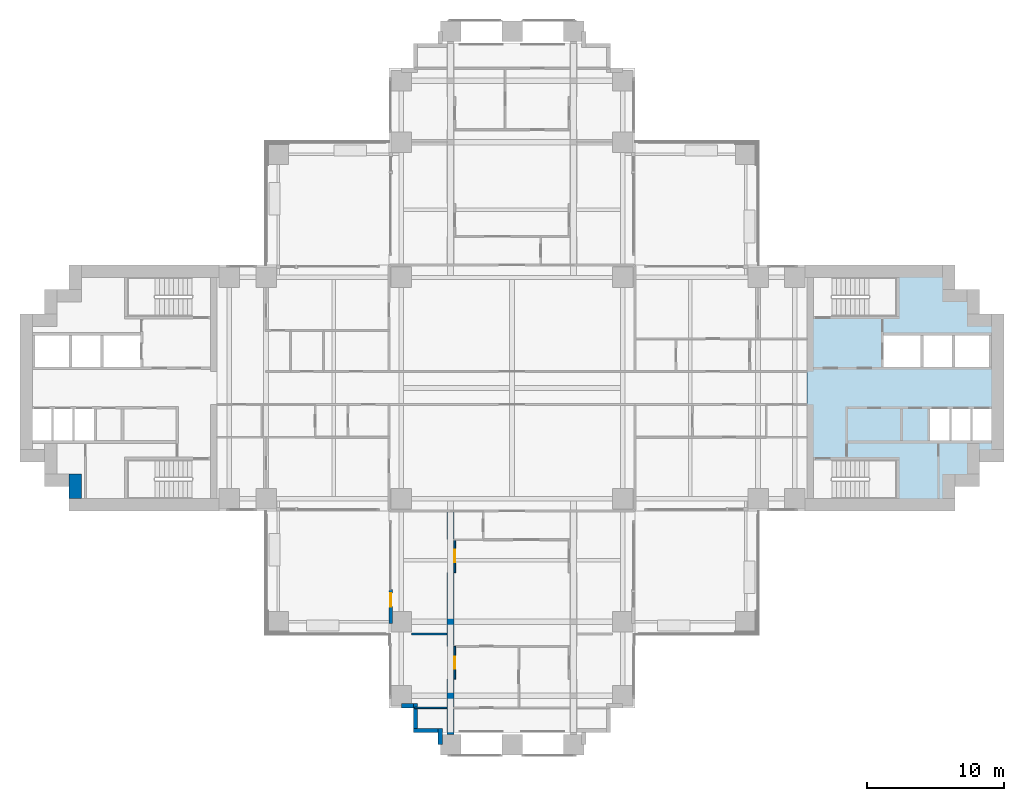
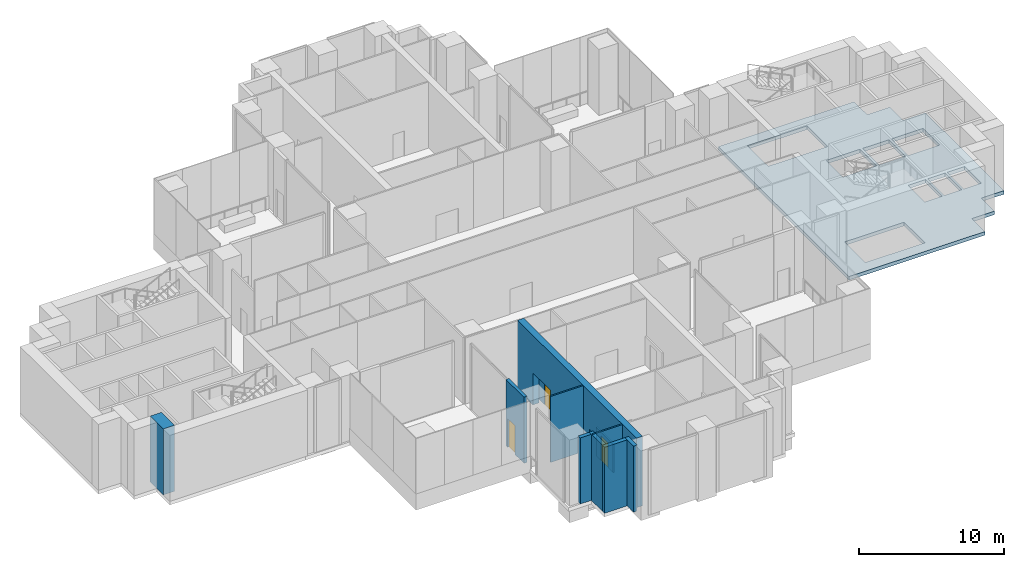
# One storey, part 7 of 17: 11 walls, 3 doors, 1 slab, 3 openings.
"""IFC4 building model written with IfcOpenShell, lengths in metres."""

import ifcopenshell
import ifcopenshell.guid

model = None  # the IFC model being written
_history = None  # IfcOwnerHistory: only IFC2X3 demands one
_inside = {}  # id of a spatial element -> (the spatial element, [elements in it])
_under = {}  # id of a project, library or spatial element -> (it, [spatial elements below it])
_declared = {}  # id of a project -> (the project, [libraries it declares])
_typed = {}  # id of a type object -> (the type object, [elements of that type])
_made_of = {}  # id of a material, layer set ... -> (it, [elements and type objects made of it])


def new_model(schema):
    """Start an empty IFC model of exactly this schema.

    Asked for "IFC4X3", IfcOpenShell would pick the latest addendum, in which some entities
    have other attributes; the version numbers below select the first issue.
    IFC2X3 requires an IfcOwnerHistory on every rooted entity: one is made here for all.
    """
    global model, _history
    if schema == "IFC4X3":
        model = ifcopenshell.file(schema_version=(4, 3, 0, 0))
    else:
        model = ifcopenshell.file(schema=schema)
    _inside.clear()
    _under.clear()
    _declared.clear()
    _typed.clear()
    _made_of.clear()
    _history = None
    if model.schema == "IFC2X3":
        org = make("IfcOrganization", Name="unknown")
        user = make(
            "IfcPersonAndOrganization",
            ThePerson=make("IfcPerson", FamilyName="unknown"),
            TheOrganization=org,
        )
        app = make(
            "IfcApplication",
            ApplicationDeveloper=org,
            Version="unknown",
            ApplicationFullName="unknown",
            ApplicationIdentifier="unknown",
        )
        _history = make(
            "IfcOwnerHistory",
            OwningUser=user,
            OwningApplication=app,
            ChangeAction="ADDED",
            CreationDate=0,
        )
    return model


def make(cls, **values):
    """One entity of the class cls with the attributes given. An attribute that is None is left unset."""
    return model.create_entity(
        cls, **{name: value for name, value in values.items() if value is not None}
    )


def rooted(cls, **values):
    """An entity with a GlobalId (a new one), such as an element, a storey or a relation."""
    return make(cls, GlobalId=ifcopenshell.guid.new(), OwnerHistory=_history, **values)


def si_unit(unit_type, name, prefix=None):
    """IfcSIUnit, for example si_unit("LENGTHUNIT", "METRE", prefix="MILLI")."""
    return make("IfcSIUnit", UnitType=unit_type, Prefix=prefix, Name=name)


def assignment(units):
    """IfcUnitAssignment: the units of a project."""
    return None if units is None else make("IfcUnitAssignment", Units=units)


def point(xyz):
    """IfcCartesianPoint."""
    return None if xyz is None else make("IfcCartesianPoint", Coordinates=xyz)


def direction(xyz):
    """IfcDirection."""
    return None if xyz is None else make("IfcDirection", DirectionRatios=xyz)


def frame(location, z_axis=None, x_axis=None):
    """IfcAxis2Placement3D, a coordinate frame: its origin and axes. An axis left out is left unset."""
    return make(
        "IfcAxis2Placement3D",
        Location=point(location),
        Axis=direction(z_axis),
        RefDirection=direction(x_axis),
    )


def frame_2d(location, x_axis=None):
    """IfcAxis2Placement2D, a coordinate frame in the plane: its origin and x axis."""
    return make(
        "IfcAxis2Placement2D", Location=point(location), RefDirection=direction(x_axis)
    )


def origin():
    """The frame at (0, 0, 0) with its axes left unset."""
    return frame((0.0, 0.0, 0.0))


def place(relative_to, where):
    """IfcLocalPlacement: puts the frame where relative to a parent placement (None: the world)."""
    return make(
        "IfcLocalPlacement", PlacementRelTo=relative_to, RelativePlacement=where
    )


def context(
    kind, dimensions, precision=None, world=None, true_north=None, identifier=None
):
    """IfcGeometricRepresentationContext, for example the 3D "Model" context."""
    return make(
        "IfcGeometricRepresentationContext",
        ContextIdentifier=identifier,
        ContextType=kind,
        CoordinateSpaceDimension=dimensions,
        Precision=precision,
        WorldCoordinateSystem=world,
        TrueNorth=true_north,
    )


def subcontext(parent, identifier, kind, view, scale=None):
    """IfcGeometricRepresentationSubContext, for example "Body" below "Model"."""
    return make(
        "IfcGeometricRepresentationSubContext",
        ContextIdentifier=identifier,
        ContextType=kind,
        ParentContext=parent,
        TargetScale=scale,
        TargetView=view,
    )


def project(units=None, contexts=None):
    """IfcProject with its units and contexts."""
    return rooted(
        "IfcProject",
        Name="project",
        RepresentationContexts=contexts,
        UnitsInContext=assignment(units),
    )


def spatial(cls, under=None, at=None, **own):
    """A site, building, storey or space (cls), placed at a placement, below another one or the project."""
    s = rooted(cls, ObjectPlacement=at, **own)
    if under is not None:
        _under.setdefault(under.id(), (under, []))[1].append(s)
    return s


def polyline(points):
    """IfcPolyline through the points."""
    return make("IfcPolyline", Points=[point(p) for p in points])


def profile(cls, at=None, kind="AREA", **sizes):
    """A parametric profile (cls). Its sizes go by their IFC names, for example OverallWidth=200.0."""
    return make(cls, ProfileType=kind, Position=at, **sizes)


def rectangle(**sizes):
    """IfcRectangleProfileDef."""
    return profile("IfcRectangleProfileDef", **sizes)


def outline(outer, holes=None, kind="AREA"):
    """IfcArbitraryClosedProfileDef: a profile drawn as a closed curve; with holes, ...WithVoids."""
    if holes is None:
        return make("IfcArbitraryClosedProfileDef", ProfileType=kind, OuterCurve=outer)
    return make(
        "IfcArbitraryProfileDefWithVoids",
        ProfileType=kind,
        OuterCurve=outer,
        InnerCurves=holes,
    )


def extrude(swept, where, along, depth):
    """IfcExtrudedAreaSolid: the profile swept, set in the frame where, extruded along a direction by depth."""
    return make(
        "IfcExtrudedAreaSolid",
        SweptArea=swept,
        Position=where,
        ExtrudedDirection=direction(along),
        Depth=depth,
    )


def shape(context_of_items, identifier, shape_type, items):
    """IfcShapeRepresentation: the items that make up one representation, for example the "Body"."""
    return make(
        "IfcShapeRepresentation",
        ContextOfItems=context_of_items,
        RepresentationIdentifier=identifier,
        RepresentationType=shape_type,
        Items=items,
    )


def material(Name=None, Category=None):
    """IfcMaterial."""
    return make("IfcMaterial", Name=Name, Category=Category)


def layer(
    of_material, thickness, ventilated=None, Name=None, Category=None, Priority=None
):
    """IfcMaterialLayer: one layer of a wall or slab, of a material (None: an air gap)."""
    return make(
        "IfcMaterialLayer",
        Material=of_material,
        LayerThickness=thickness,
        IsVentilated=ventilated,
        Name=Name,
        Category=Category,
        Priority=Priority,
    )


def layer_set(layers, Name=None):
    """IfcMaterialLayerSet."""
    return make("IfcMaterialLayerSet", MaterialLayers=layers, LayerSetName=Name)


def material_profile(
    of_material, cross_section, Name=None, Category=None, Priority=None
):
    """IfcMaterialProfile: a cross section and its material."""
    return make(
        "IfcMaterialProfile",
        Name=Name,
        Material=of_material,
        Profile=cross_section,
        Priority=Priority,
        Category=Category,
    )


def profile_set(profiles, Name=None, composite=None):
    """IfcMaterialProfileSet."""
    return make(
        "IfcMaterialProfileSet",
        Name=Name,
        MaterialProfiles=profiles,
        CompositeProfile=composite,
    )


def made_of(thing, what):
    """Note that an element or type object is made of a material, layer set ...; save() writes the relation."""
    if what is not None:
        _made_of.setdefault(what.id(), (what, []))[1].append(thing)
    return thing


def type_object(cls, material=None, **own):
    """A type object (cls), such as IfcWallType, which elements share."""
    return made_of(rooted(cls, **own), material)


def element(
    cls,
    number,
    at=None,
    inside=None,
    cuts=None,
    type_object=None,
    material=None,
    context=None,
    identifier="Body",
    shape_type=None,
    held_by="IfcProductDefinitionShape",
    body=None,
    shapes=None,
    **own,
):
    """One element of the class cls, such as IfcWall. Its Tag is "e" and its number.

    at: its placement. inside: the storey or other place that contains it. cuts: it is an
    opening in that element (IfcRelVoidsElement). A single representation is given by context,
    identifier, shape_type and body (its items); several are given by shapes. held_by: the class
    of the entity that holds the representations. save() writes the other relations.
    """
    e = rooted(cls, Tag="e%d" % number, ObjectPlacement=at, **own)
    if body is not None:
        shapes = [shape(context, identifier, shape_type, body)]
    if shapes is not None:
        e.Representation = make(held_by, Representations=shapes)
    if inside is not None:
        _inside.setdefault(inside.id(), (inside, []))[1].append(e)
    if cuts is not None:
        rooted(
            "IfcRelVoidsElement", RelatingBuildingElement=cuts, RelatedOpeningElement=e
        )
    if type_object is not None:
        _typed.setdefault(type_object.id(), (type_object, []))[1].append(e)
    return made_of(e, material)


def fill(opening, filler):
    """IfcRelFillsElement: the door or window that sits in an opening."""
    return rooted(
        "IfcRelFillsElement",
        RelatingOpeningElement=opening,
        RelatedBuildingElement=filler,
    )


def aggregate(whole, parts):
    """IfcRelAggregates: a whole, such as a stair, and the parts it consists of."""
    return rooted("IfcRelAggregates", RelatingObject=whole, RelatedObjects=parts)


def save(model, path):
    """Write the relations noted so far, then the file.

    IfcRelAggregates (storeys below a building ...), IfcRelContainedInSpatialStructure (elements
    in a storey), IfcRelDefinesByType, IfcRelAssociatesMaterial and IfcRelDeclares: one each for
    every whole, place, type object, material and project.
    """
    for whole, parts in _under.values():
        aggregate(whole, parts)
    for where, things in _inside.values():
        rooted(
            "IfcRelContainedInSpatialStructure",
            RelatedElements=things,
            RelatingStructure=where,
        )
    for kind, things in _typed.values():
        rooted("IfcRelDefinesByType", RelatedObjects=things, RelatingType=kind)
    for what, things in _made_of.values():
        rooted("IfcRelAssociatesMaterial", RelatedObjects=things, RelatingMaterial=what)
    for by, libraries in _declared.values():
        rooted("IfcRelDeclares", RelatingContext=by, RelatedDefinitions=libraries)
    model.write(path)


model = new_model("IFC4")

# Units and contexts
model_context = context("Model", 3, precision=1e-05, world=origin(), true_north=direction((0.0, 1.0)))
body_context = subcontext(model_context, "Body", "Model", "MODEL_VIEW")
ifc_project = project(units=[si_unit("LENGTHUNIT", "METRE"), si_unit("AREAUNIT", "SQUARE_METRE"), si_unit("VOLUMEUNIT", "CUBIC_METRE"), si_unit("PLANEANGLEUNIT", "RADIAN"), si_unit("MASSUNIT", "GRAM", prefix="KILO")], contexts=[model_context])

# Site, building, storey
site_placement = place(None, origin())
site = spatial("IfcSite", under=ifc_project, at=site_placement, CompositionType="ELEMENT")
building_placement = place(site_placement, origin())
building = spatial("IfcBuilding", under=site, at=building_placement, Name="Perihelion Cross Residences", CompositionType="ELEMENT")
storey_placement = place(building_placement, frame((0.0, 0.0, 21.0)))
storey = spatial("IfcBuildingStorey", under=building, at=storey_placement, Name="L02", CompositionType="ELEMENT", Elevation=21.0)

# Slab
ifc_material_1 = material(Name="Concrete C40/50", Category="concrete")
ifc_layer_1 = layer(ifc_material_1, 0.300048828125)
ifc_layer_set_1 = layer_set([ifc_layer_1], Name="Core floor slab 300")
slab_type = type_object("IfcSlabType", Name="Core floor slab 300", PredefinedType="FLOOR", material=ifc_layer_set_1)
slab_placement = place(storey_placement, frame((0.0, 0.0, -0.300048828125)))
element("IfcSlab", 1, at=slab_placement, inside=storey, type_object=slab_type, Name="East core floor slab", PredefinedType="FLOOR", context=body_context, shape_type="SweptSolid", body=[
    extrude(outline(polyline([(32.39990234375, 7.199951171875), (34.199951171875, 7.199951171875), (34.199951171875, 5.39990234375), (36.0, 5.39990234375), (36.0, -5.39990234375), (34.199951171875, -5.39990234375), (34.199951171875, -7.199951171875), (32.39990234375, -7.199951171875), (32.39990234375, -9.0), (21.60009765625, -9.0), (21.60009765625, 9.0), (32.39990234375, 9.0), (32.39990234375, 7.199951171875)]), holes=[polyline([(23.405029296875, -8.10009765625), (28.14990234375, -8.10009765625), (28.14990234375, -5.25), (23.405029296875, -5.25), (23.405029296875, -8.10009765625)]), polyline([(30.60009765625, -1.550048828125), (30.60009765625, -3.85009765625), (32.0, -3.85009765625), (32.0, -1.550048828125), (30.60009765625, -1.550048828125)]), polyline([(32.14990234375, -1.550048828125), (32.14990234375, -3.85009765625), (33.550048828125, -3.85009765625), (33.550048828125, -1.550048828125), (32.14990234375, -1.550048828125)]), polyline([(33.699951171875, -1.550048828125), (33.699951171875, -3.85009765625), (35.10009765625, -3.85009765625), (35.10009765625, -1.550048828125), (33.699951171875, -1.550048828125)]), polyline([(27.199951171875, 3.85009765625), (27.199951171875, 1.550048828125), (29.89990234375, 1.550048828125), (29.89990234375, 3.85009765625), (27.199951171875, 3.85009765625)]), polyline([(30.10009765625, 3.85009765625), (30.10009765625, 1.550048828125), (32.199951171875, 1.550048828125), (32.199951171875, 3.85009765625), (30.10009765625, 3.85009765625)]), polyline([(32.39990234375, 3.85009765625), (32.39990234375, 1.550048828125), (34.89990234375, 1.550048828125), (34.89990234375, 3.85009765625), (32.39990234375, 3.85009765625)]), polyline([(23.405029296875, 5.25), (28.14990234375, 5.25), (28.14990234375, 8.10009765625), (23.405029296875, 8.10009765625), (23.405029296875, 5.25)])]), origin(), (0.0, 0.0, 1.0), 0.300048828125),
])

# Wall, opening, door
ifc_material_2 = material(Name="Concrete C30/37, bronze-clad", Category="concrete")
ifc_layer_2 = layer(ifc_material_2, 0.25)
ifc_layer_set_2 = layer_set([ifc_layer_2], Name="Bronze-clad pier wall 250")
wall_type_1 = type_object("IfcWallType", Name="Bronze-clad pier wall 250", PredefinedType="SOLIDWALL", material=ifc_layer_set_2)
wall_1_placement = place(storey_placement, frame((-8.875, -14.75, 0.0), z_axis=(0.0, 0.0, 1.0), x_axis=(0.0, -1.0, 0.0)))
wall_1 = element("IfcWall", 2, at=wall_1_placement, inside=storey, type_object=wall_type_1, Name="Wall FW1 L02 south side west bay 1 pier", PredefinedType="SOLIDWALL", context=body_context, shape_type="SweptSolid", body=[
    extrude(rectangle(XDim=2.47998046875, YDim=0.25, at=frame_2d((1.239990234375, 0.0))), origin(), (0.0, 0.0, 1.0), 5.550048828125),
])
opening_1_placement = place(wall_1_placement, frame((0.25, 0.0, 0.0)))
opening_1 = element("IfcOpeningElement", 3, at=opening_1_placement, cuts=wall_1, Name="Opening L02.E06", PredefinedType="OPENING", context=body_context, shape_type="SweptSolid", body=[
    extrude(rectangle(XDim=1.0, YDim=2.39990234375, at=frame_2d((0.5, 1.199951171875))), frame((0.0, 0.135009765625, 0.0), z_axis=(0.0, -1.0, 0.0), x_axis=(1.0, 0.0, 0.0)), (0.0, 0.0, 1.0), 0.27001953125),
])
ifc_material_3 = material(Name="Bronze anodised aluminium, glazed", Category="aluminium")
door_type_1 = type_object("IfcDoorType", Name="Balcony door 1000 x 2400", OperationType="NOTDEFINED", PredefinedType="DOOR", material=ifc_material_3)
door_1_placement = place(opening_1_placement, origin())
door_1 = element("IfcDoor", 4, at=door_1_placement, inside=storey, type_object=door_type_1, Name="Door L02.E06 south side west bay 1", OperationType="SINGLE_SWING_LEFT", OverallHeight=2.39990234375, OverallWidth=1.0, PredefinedType="DOOR", context=body_context, shape_type="SweptSolid", body=[
    extrude(rectangle(XDim=1.0, YDim=2.39990234375, at=frame_2d((0.5, 1.199951171875))), frame((0.0, 0.02490234375, 0.0), z_axis=(0.0, -1.0, 0.0), x_axis=(1.0, 0.0, 0.0)), (0.0, 0.0, 1.0), 0.050048828125),
])
fill(opening_1, door_1)

# Walls
ifc_material_4 = material(Name="Concrete C30/37, bronze-clad", Category="concrete")
ifc_layer_3 = layer(ifc_material_4, 0.300048828125)
ifc_layer_set_3 = layer_set([ifc_layer_3], Name="Bronze-clad serration wall 300")
wall_type_2 = type_object("IfcWallType", Name="Bronze-clad serration wall 300", PredefinedType="SOLIDWALL", material=ifc_layer_set_3)
wall_2_placement = place(storey_placement, frame((-8.080078125, -23.25, 0.0), z_axis=(0.0, 0.0, 1.0), x_axis=(1.0, 0.0, 0.0)))
element("IfcWall", 5, at=wall_2_placement, inside=storey, type_object=wall_type_2, Name="Wall SR1 L02 south corner south-west 1", PredefinedType="SOLIDWALL", context=body_context, shape_type="SweptSolid", body=[
    extrude(rectangle(XDim=0.880126953125, YDim=0.300048828125, at=frame_2d((0.43994140625, 0.0))), origin(), (0.0, 0.0, 1.0), 5.550048828125),
])
wall_3_placement = place(storey_placement, frame((-7.050048828125, -23.10009765625, 0.0), z_axis=(0.0, 0.0, 1.0), x_axis=(0.0, -1.0, 0.0)))
element("IfcWall", 6, at=wall_3_placement, inside=storey, type_object=wall_type_2, Name="Wall SR1 L02 south corner south-west 2", PredefinedType="SOLIDWALL", context=body_context, shape_type="SweptSolid", body=[
    extrude(rectangle(XDim=1.7998046875, YDim=0.300048828125, at=frame_2d((0.89990234375, 0.0))), origin(), (0.0, 0.0, 1.0), 5.550048828125),
])
wall_4_placement = place(storey_placement, frame((-7.199951171875, -25.050048828125, 0.0), z_axis=(0.0, 0.0, 1.0), x_axis=(1.0, 0.0, 0.0)))
element("IfcWall", 7, at=wall_4_placement, inside=storey, type_object=wall_type_2, Name="Wall SR1 L02 south corner south-west 3", PredefinedType="SOLIDWALL", context=body_context, shape_type="SweptSolid", body=[
    extrude(rectangle(XDim=1.800048828125, YDim=0.300048828125, at=frame_2d((0.89990234375, 0.0))), origin(), (0.0, 0.0, 1.0), 5.550048828125),
])
wall_5_placement = place(storey_placement, frame((-5.25, -24.89990234375, 0.0), z_axis=(0.0, 0.0, 1.0), x_axis=(0.0, -1.0, 0.0)))
element("IfcWall", 8, at=wall_5_placement, inside=storey, type_object=wall_type_2, Name="Wall SR1 L02 south corner south-west 4", PredefinedType="SOLIDWALL", context=body_context, shape_type="SweptSolid", body=[
    extrude(rectangle(XDim=1.18017578125, YDim=0.300048828125, at=frame_2d((0.590087890625, 0.0))), origin(), (0.0, 0.0, 1.0), 5.550048828125),
])
ifc_material_5 = material(Name="Concrete C60/75", Category="concrete")
ifc_layer_4 = layer(ifc_material_5, 0.89990234375)
ifc_layer_set_4 = layer_set([ifc_layer_4], Name="Core wall, outer 900")
wall_type_3 = type_object("IfcWallType", Name="Core wall, outer 900", PredefinedType="SHEAR", material=ifc_layer_set_4)
wall_6_placement = place(storey_placement, frame((-31.949951171875, -8.10009765625, 0.0), z_axis=(0.0, 0.0, 1.0), x_axis=(0.0, 1.0, 0.0)))
element("IfcWall", 9, at=wall_6_placement, inside=storey, type_object=wall_type_3, Name="West core core wall, outer", PredefinedType="SHEAR", context=body_context, shape_type="SweptSolid", body=[
    extrude(rectangle(XDim=1.800048828125, YDim=0.89990234375, at=frame_2d((0.89990234375, 0.0))), origin(), (0.0, 0.0, 1.0), 5.550048828125),
])

# Wall, opening, door
ifc_material_6 = material(Name="Plasterboard partition")
ifc_layer_5 = layer(ifc_material_6, 0.1201171875)
ifc_layer_set_5 = layer_set([ifc_layer_5], Name="Infill panel 120")
wall_type_4 = type_object("IfcWallType", Name="Infill panel 120", PredefinedType="PARTITIONING", material=ifc_layer_set_5)
wall_7_placement = place(storey_placement, frame((-4.18994140625, -11.10009765625, 0.0), z_axis=(0.0, 0.0, 1.0), x_axis=(0.0, -1.0, 0.0)))
wall_7 = element("IfcWall", 10, at=wall_7_placement, inside=storey, type_object=wall_type_4, Name="Partition L02 WI07", PredefinedType="PARTITIONING", context=body_context, shape_type="SweptSolid", body=[
    extrude(rectangle(XDim=2.39990234375, YDim=0.1201171875, at=frame_2d((1.199951171875, 0.0))), origin(), (0.0, 0.0, 1.0), 2.39990234375),
])
opening_2_placement = place(wall_7_placement, frame((0.75, 0.0, 0.0)))
opening_2 = element("IfcOpeningElement", 11, at=opening_2_placement, cuts=wall_7, Name="Opening L02.A41", PredefinedType="OPENING", context=body_context, shape_type="SweptSolid", body=[
    extrude(rectangle(XDim=0.89990234375, YDim=2.10009765625, at=frame_2d((0.449951171875, 1.050048828125))), frame((0.0, 0.070068359375, 0.0), z_axis=(0.0, -1.0, 0.0), x_axis=(1.0, 0.0, 0.0)), (0.0, 0.0, 1.0), 0.14013671875),
])
ifc_material_7 = material(Name="Timber door leaf", Category="wood")
door_type_2 = type_object("IfcDoorType", Name="Interior room door 900 x 2100", OperationType="SINGLE_SWING_LEFT", PredefinedType="DOOR", material=ifc_material_7)
door_2_placement = place(opening_2_placement, origin())
door_2 = element("IfcDoor", 12, at=door_2_placement, inside=storey, type_object=door_type_2, Name="Door L02.A41", OperationType="SINGLE_SWING_LEFT", OverallHeight=2.10009765625, OverallWidth=0.89990234375, PredefinedType="DOOR", context=body_context, shape_type="SweptSolid", body=[
    extrude(rectangle(XDim=0.89990234375, YDim=2.10009765625, at=frame_2d((0.449951171875, 1.050048828125))), frame((0.0, 0.02490234375, 0.0), z_axis=(0.0, -1.0, 0.0), x_axis=(1.0, 0.0, 0.0)), (0.0, 0.0, 1.0), 0.050048828125),
])
fill(opening_2, door_2)

wall_8_placement = place(storey_placement, frame((-4.18994140625, -18.89990234375, 0.0), z_axis=(0.0, 0.0, 1.0), x_axis=(0.0, -1.0, 0.0)))
wall_8 = element("IfcWall", 13, at=wall_8_placement, inside=storey, type_object=wall_type_4, Name="Partition L02 WI08", PredefinedType="PARTITIONING", context=body_context, shape_type="SweptSolid", body=[
    extrude(rectangle(XDim=2.400146484375, YDim=0.1201171875, at=frame_2d((1.2001953125, 0.0))), origin(), (0.0, 0.0, 1.0), 2.39990234375),
])
opening_3_placement = place(wall_8_placement, frame((0.75, 0.0, 0.0)))
opening_3 = element("IfcOpeningElement", 14, at=opening_3_placement, cuts=wall_8, Name="Opening L02.A42", PredefinedType="OPENING", context=body_context, shape_type="SweptSolid", body=[
    extrude(rectangle(XDim=0.89990234375, YDim=2.10009765625, at=frame_2d((0.449951171875, 1.050048828125))), frame((0.0, 0.070068359375, 0.0), z_axis=(0.0, -1.0, 0.0), x_axis=(1.0, 0.0, 0.0)), (0.0, 0.0, 1.0), 0.14013671875),
])
door_3_placement = place(opening_3_placement, origin())
door_3 = element("IfcDoor", 15, at=door_3_placement, inside=storey, type_object=door_type_2, Name="Door L02.A42", OperationType="SINGLE_SWING_RIGHT", OverallHeight=2.10009765625, OverallWidth=0.89990234375, PredefinedType="DOOR", context=body_context, shape_type="SweptSolid", body=[
    extrude(rectangle(XDim=0.89990234375, YDim=2.10009765625, at=frame_2d((0.449951171875, 1.050048828125))), frame((0.0, 0.02490234375, 0.0), z_axis=(0.0, -1.0, 0.0), x_axis=(1.0, 0.0, 0.0)), (0.0, 0.0, 1.0), 0.050048828125),
])
fill(opening_3, door_3)

# Walls
ifc_material_8 = material(Name="Plasterboard partition")
ifc_layer_6 = layer(ifc_material_8, 0.1201171875)
ifc_layer_set_6 = layer_set([ifc_layer_6], Name="Partition wall 120")
wall_type_5 = type_object("IfcWallType", Name="Partition wall 120", PredefinedType="PARTITIONING", material=ifc_layer_set_6)
wall_9_placement = place(storey_placement, frame((-4.75, -18.0, 0.0), z_axis=(0.0, 0.0, 1.0), x_axis=(-1.0, 0.0, 0.0)))
element("IfcWall", 16, at=wall_9_placement, inside=storey, type_object=wall_type_5, Name="Partition L02 W055", PredefinedType="PARTITIONING", context=body_context, shape_type="SweptSolid", body=[
    extrude(rectangle(XDim=2.60009765625, YDim=0.1201171875, at=frame_2d((1.300048828125, 0.0))), origin(), (0.0, 0.0, 1.0), 5.550048828125),
])
wall_10_placement = place(storey_placement, frame((-4.75, -23.39990234375, 0.0), z_axis=(0.0, 0.0, 1.0), x_axis=(-1.0, 0.0, 0.0)))
element("IfcWall", 17, at=wall_10_placement, inside=storey, type_object=wall_type_5, Name="Partition L02 W056", PredefinedType="PARTITIONING", context=body_context, shape_type="SweptSolid", body=[
    extrude(rectangle(XDim=2.3701171875, YDim=0.1201171875, at=frame_2d((1.18505859375, 0.0))), origin(), (0.0, 0.0, 1.0), 5.550048828125),
])
ifc_material_9 = material(Name="Concrete C60/75", Category="concrete")
ifc_material_profile = material_profile(ifc_material_9, outline(polyline([(0.0, 0.0), (4.050048828125, 0.0), (4.050048828125, 2.699951171875), (6.449951171875, 2.699951171875), (6.449951171875, 0.0), (11.85009765625, 0.0), (11.85009765625, 2.699951171875), (14.25, 2.699951171875), (14.25, 0.0), (16.35009765625, 0.0), (16.35009765625, 5.85009765625), (0.0, 5.85009765625), (0.0, 0.0)])), Name="Tip spine wall")
ifc_profile_set = profile_set([ifc_material_profile], Name="Concrete C60/75")
wall_type_6 = type_object("IfcWallType", Name="Tip spine wall 500 with 2 door openings 16350 long 5850 high concrete C60/75", PredefinedType="SHEAR", material=ifc_profile_set)
wall_11_placement = place(storey_placement, frame((-4.75, -25.35009765625, -0.300048828125), z_axis=(1.0, 0.0, 0.0), x_axis=(0.0, 1.0, 0.0)))
element("IfcWall", 18, at=wall_11_placement, inside=storey, type_object=wall_type_6, Name="Shear wall SW13 L02 south west", PredefinedType="SHEAR", context=body_context, shape_type="SweptSolid", body=[
    extrude(outline(polyline([(0.0, 0.0), (4.050048828125, 0.0), (4.050048828125, 2.699951171875), (6.449951171875, 2.699951171875), (6.449951171875, 0.0), (11.85009765625, 0.0), (11.85009765625, 2.699951171875), (14.25, 2.699951171875), (14.25, 0.0), (16.35009765625, 0.0), (16.35009765625, 5.85009765625), (0.0, 5.85009765625), (0.0, 0.0)])), origin(), (0.0, 0.0, 1.0), 0.5),
])

save(model, "model.ifc")
